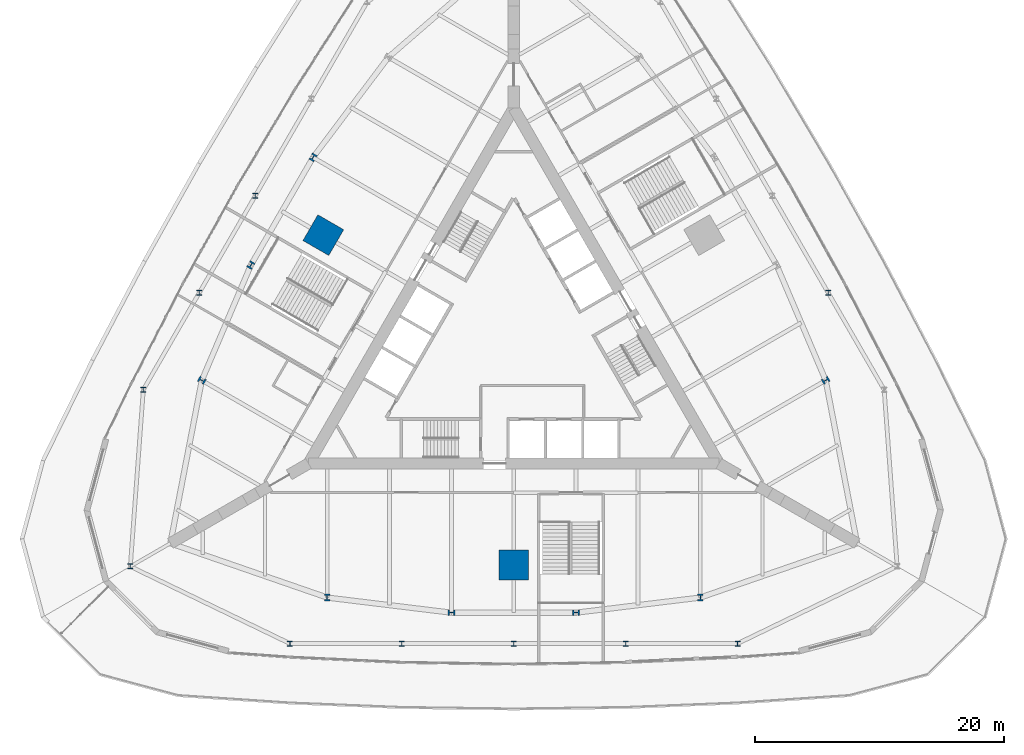
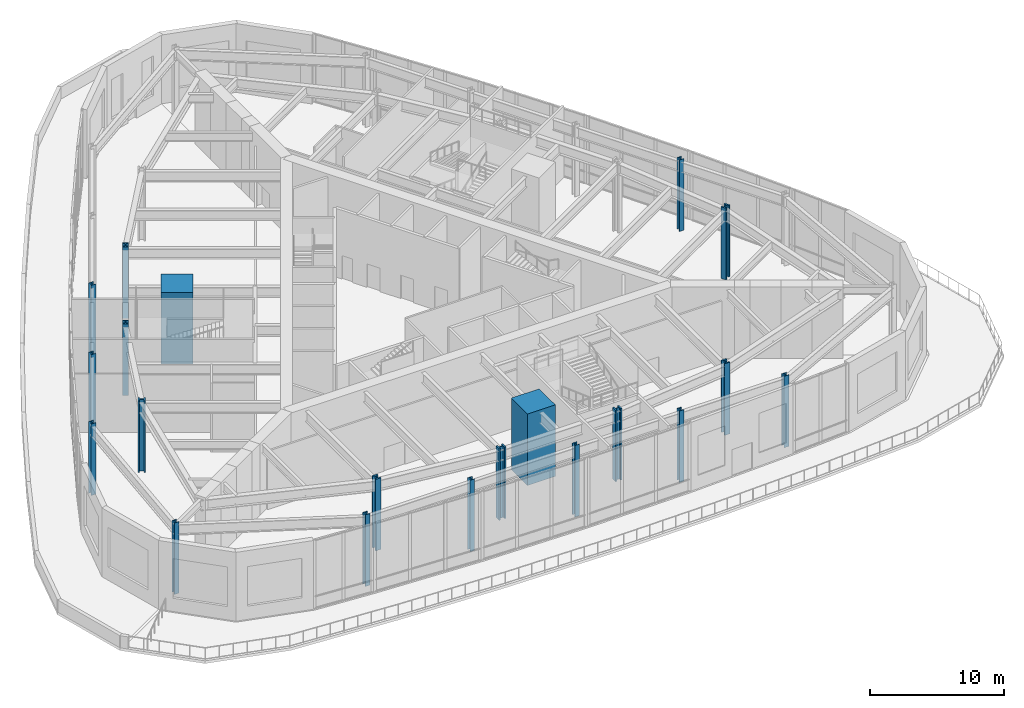
# One storey, part 1 of 19: 20 columns.
"""IFC4 building model written with IfcOpenShell, lengths in metres."""

from ifc_helpers import new_model, si_unit, direction, frame, origin, origin_2d, place, context, subcontext, project, spatial, rectangle, i_section, extrude, material, material_profile, profile_set, type_object, element, save


model = new_model("IFC4")

# Units and contexts
model_context = context("Model", 3, precision=1e-05, world=origin(), true_north=direction((0.0, 1.0)))
body_context = subcontext(model_context, "Body", "Model", "MODEL_VIEW")
ifc_project = project(units=[si_unit("LENGTHUNIT", "METRE"), si_unit("AREAUNIT", "SQUARE_METRE"), si_unit("VOLUMEUNIT", "CUBIC_METRE"), si_unit("PLANEANGLEUNIT", "RADIAN"), si_unit("MASSUNIT", "GRAM", prefix="KILO")], contexts=[model_context])

# Site, building, storey
site_placement = place(None, origin())
site = spatial("IfcSite", under=ifc_project, at=site_placement, CompositionType="ELEMENT")
building_placement = place(site_placement, origin())
building = spatial("IfcBuilding", under=site, at=building_placement, Name="Trikona Tower", CompositionType="ELEMENT")
storey_placement = place(building_placement, frame((0.0, 0.0, 11.0)))
storey = spatial("IfcBuildingStorey", under=building, at=storey_placement, Name="L02", CompositionType="ELEMENT", Elevation=11.0)

# Columns
ifc_material_1 = material(Name="Concrete f'c 10000 psi with encased steel section", Category="concrete")
ifc_material_profile_1 = material_profile(ifc_material_1, rectangle(XDim=2.39990234375, YDim=2.39990234375, at=origin_2d()), Name="MC2400")
ifc_profile_set_1 = profile_set([ifc_material_profile_1], Name="Concrete f'c 10000 psi with encased steel section")
column_type_1 = type_object("IfcColumnType", Name="Composite mega column 2400x2400", PredefinedType="COLUMN", material=ifc_profile_set_1)
for number, where, z_axis, x_axis, name in (
    (1, (0.0, -17.680419921875, 0.0), (0.0, 0.0, 1.0), (0.0, -1.0, 0.0), "Mega column MC1"),
    (2, (-15.311767578125, 8.84033203125, 0.0), (0.0, 0.0, 1.0), (-0.866025403784, 0.5, 0.0), "Mega column MC3"),
):
    element("IfcColumn", number, at=place(storey_placement, frame(where, z_axis=z_axis, x_axis=x_axis)), inside=storey, type_object=column_type_1, Name=name, PredefinedType="COLUMN", context=body_context, shape_type="SweptSolid", body=[
        extrude(rectangle(XDim=2.39990234375, YDim=2.39990234375, at=origin_2d()), origin(), (0.0, 0.0, 1.0), 6.5),
    ])
ifc_material_2 = material(Name="Steel ASTM A992 Grade 50", Category="steel")
ifc_material_profile_2 = material_profile(ifc_material_2, i_section(OverallWidth=0.4013671875, OverallDepth=0.398681640625, WebThickness=0.02490234375, FlangeThickness=0.03955078125, at=origin_2d()), Name="W14X211")
ifc_profile_set_2 = profile_set([ifc_material_profile_2], Name="Steel ASTM A992 Grade 50")
column_type_2 = type_object("IfcColumnType", Name="Steel column W14x211", PredefinedType="COLUMN", material=ifc_profile_set_2)
for number, where, z_axis, x_axis, name in (
    (3, (-30.83056640625, -17.800048828125, 0.0), (0.0, 0.0, 1.0), (1.0, 0.0, 0.0), "Column K2D35.6"),
    (4, (-18.0, -24.0, 0.0), (0.0, 0.0, 1.0), (1.0, 0.0, 0.0), "Column R24F0m18"),
    (5, (-9.0, -24.0, 0.0), (0.0, 0.0, 1.0), (1.0, 0.0, 0.0), "Column R24F0m9"),
    (6, (0.0, -24.0, 0.0), (0.0, 0.0, 1.0), (1.0, 0.0, 0.0), "Column R24F0p0"),
    (7, (18.0, -24.0, 0.0), (0.0, 0.0, 1.0), (1.0, 0.0, 0.0), "Column R24F0p18"),
    (8, (9.0, -24.0, 0.0), (0.0, 0.0, 1.0), (1.0, 0.0, 0.0), "Column R24F0p9"),
    (9, (25.28466796875, 4.205810546875, 0.0), (0.0, 0.0, 1.0), (1.0, 0.0, 0.0), "Column R24F1m9"),
    (10, (-20.78466796875, 12.0, 0.0), (0.0, 0.0, 1.0), (1.0, 0.0, 0.0), "Column R24F2p0"),
    (11, (-29.78466796875, -3.58837890625, 0.0), (0.0, 0.0, 1.0), (1.0, 0.0, 0.0), "Column R24F2p18"),
    (12, (-25.28466796875, 4.205810546875, 0.0), (0.0, 0.0, 1.0), (1.0, 0.0, 0.0), "Column R24F2p9"),
):
    element("IfcColumn", number, at=place(storey_placement, frame(where, z_axis=z_axis, x_axis=x_axis)), inside=storey, type_object=column_type_2, Name=name, PredefinedType="COLUMN", context=body_context, shape_type="SweptSolid", body=[
        extrude(i_section(OverallWidth=0.4013671875, OverallDepth=0.398681640625, WebThickness=0.02490234375, FlangeThickness=0.03955078125, at=origin_2d()), origin(), (0.0, 0.0, 1.0), 6.5),
    ])
ifc_material_3 = material(Name="Steel ASTM A992 Grade 50", Category="steel")
ifc_material_profile_3 = material_profile(ifc_material_3, i_section(OverallWidth=0.45458984375, OverallDepth=0.56884765625, WebThickness=0.077880859375, FlangeThickness=0.124755859375, at=origin_2d()), Name="W14X730")
ifc_profile_set_3 = profile_set([ifc_material_profile_3], Name="Steel ASTM A992 Grade 50")
column_type_3 = type_object("IfcColumnType", Name="Steel column W14x730", PredefinedType="COLUMN", material=ifc_profile_set_3)
for number, where, z_axis, x_axis, name in (
    (13, (-15.0, -20.302978515625, 0.0), (0.0, 0.0, 1.0), (1.0, 0.0, 0.0), "Column F0m15"),
    (14, (-5.0, -21.5205078125, 0.0), (0.0, 0.0, 1.0), (0.0, -1.0, 0.0), "Column F0m5"),
    (15, (5.0, -21.5205078125, 0.0), (0.0, 0.0, 1.0), (0.0, -1.0, 0.0), "Column F0p5"),
    (16, (15.0, -20.302978515625, 0.0), (0.0, 0.0, 1.0), (1.0, 0.0, 0.0), "Column F0p15"),
    (17, (25.0830078125, -2.8388671875, 0.0), (0.0, 0.0, 1.0), (-0.5, 0.866025403784, 0.0), "Column F1m15"),
    (18, (-16.13720703125, 15.09033203125, 0.0), (0.0, 0.0, 1.0), (-0.866025403784, 0.5, 0.0), "Column F2m5"),
    (19, (-21.13720703125, 6.43017578125, 0.0), (0.0, 0.0, 1.0), (-0.866025403784, 0.5, 0.0), "Column F2p5"),
    (20, (-25.0830078125, -2.8388671875, 0.0), (0.0, 0.0, 1.0), (-0.5, -0.866025403784, 0.0), "Column F2p15"),
):
    element("IfcColumn", number, at=place(storey_placement, frame(where, z_axis=z_axis, x_axis=x_axis)), inside=storey, type_object=column_type_3, Name=name, PredefinedType="COLUMN", context=body_context, shape_type="SweptSolid", body=[
        extrude(i_section(OverallWidth=0.45458984375, OverallDepth=0.56884765625, WebThickness=0.077880859375, FlangeThickness=0.124755859375, at=origin_2d()), origin(), (0.0, 0.0, 1.0), 6.5),
    ])

save(model, "model.ifc")
